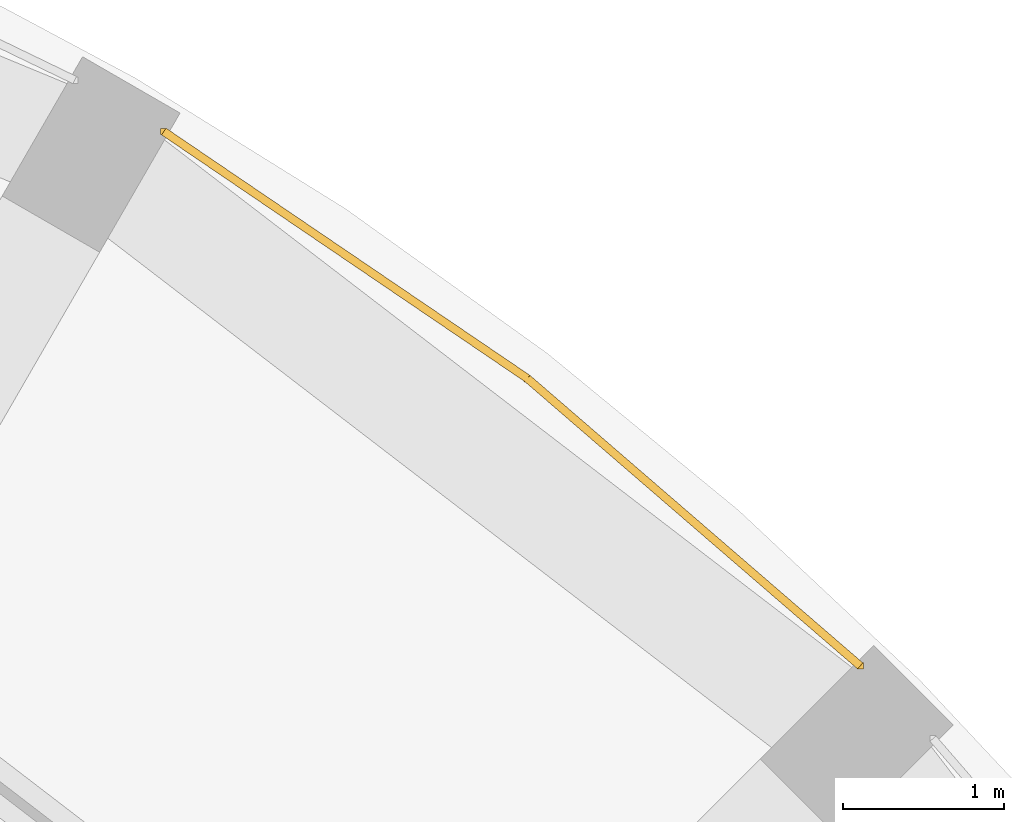
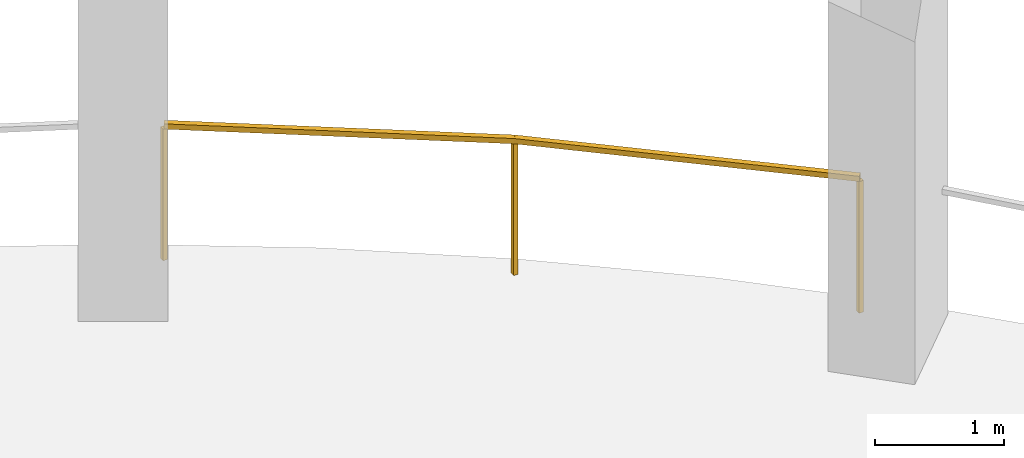
# One storey, part 8 of 8: 1 railing.
"""IFC4 building model written with IfcOpenShell, lengths in metres."""

from ifc_helpers import new_model, si_unit, direction, frame, origin, origin_2d, place, context, subcontext, project, spatial, rectangle, extrude, material, type_object, element, save


model = new_model("IFC4")

# Units and contexts
model_context = context("Model", 3, precision=1e-05, world=origin(), true_north=direction((0.0, 1.0)))
body_context = subcontext(model_context, "Body", "Model", "MODEL_VIEW")
ifc_project = project(units=[si_unit("LENGTHUNIT", "METRE"), si_unit("AREAUNIT", "SQUARE_METRE"), si_unit("VOLUMEUNIT", "CUBIC_METRE"), si_unit("PLANEANGLEUNIT", "RADIAN"), si_unit("MASSUNIT", "GRAM", prefix="KILO")], contexts=[model_context])

# Site, building, storey
site_placement = place(None, origin())
site = spatial("IfcSite", under=ifc_project, at=site_placement, CompositionType="ELEMENT")
building_placement = place(site_placement, origin())
building = spatial("IfcBuilding", under=site, at=building_placement, Name="Torre Triforio", CompositionType="ELEMENT")
storey_placement = place(building_placement, frame((0.0, 0.0, 196.5)))
storey = spatial("IfcBuildingStorey", under=building, at=storey_placement, Name="L44", CompositionType="ELEMENT", Elevation=196.5)

# Railing
ifc_material = material(Name="Stainless steel AISI 316", Category="steel")
railing_type = type_object("IfcRailingType", Name="Loggia guard 1300", PredefinedType="GUARDRAIL", material=ifc_material)
railing_placement = place(storey_placement, frame((16.28466796875, 16.7373046875, 0.0)))
element("IfcRailing", 1, at=railing_placement, inside=storey, type_object=railing_type, Name="Loggia guard L44 bay 04", PredefinedType="GUARDRAIL", context=body_context, shape_type="SweptSolid", body=[
    extrude(rectangle(XDim=0.050048828125, YDim=0.050048828125, at=origin_2d()), frame((0.0, 0.0, 1.27490234375), z_axis=(-0.756857127214, 0.653580361536, 0.0), x_axis=(-0.653580361536, -0.756857127214, 0.0)), (0.0, 0.0, 1.0), 2.735107421875),
    extrude(rectangle(XDim=0.050048828125, YDim=0.050048828125, at=origin_2d()), frame((-2.070068359375, 1.78759765625, 1.27490234375), z_axis=(-0.827198686069, 0.561909542334, 0.0), x_axis=(-0.561909542334, -0.827198686069, 0.0)), (0.0, 0.0, 1.0), 2.735107421875),
    extrude(rectangle(XDim=0.0400390625, YDim=0.0400390625, at=origin_2d()), origin(), (0.0, 0.0, 1.0), 1.25),
    extrude(rectangle(XDim=0.0400390625, YDim=0.0400390625, at=origin_2d()), frame((-2.070068359375, 1.78759765625, 0.0)), (0.0, 0.0, 1.0), 1.25),
    extrude(rectangle(XDim=0.0400390625, YDim=0.0400390625, at=origin_2d()), frame((-4.33251953125, 3.324462890625, 0.0)), (0.0, 0.0, 1.0), 1.25),
])

save(model, "model.ifc")
